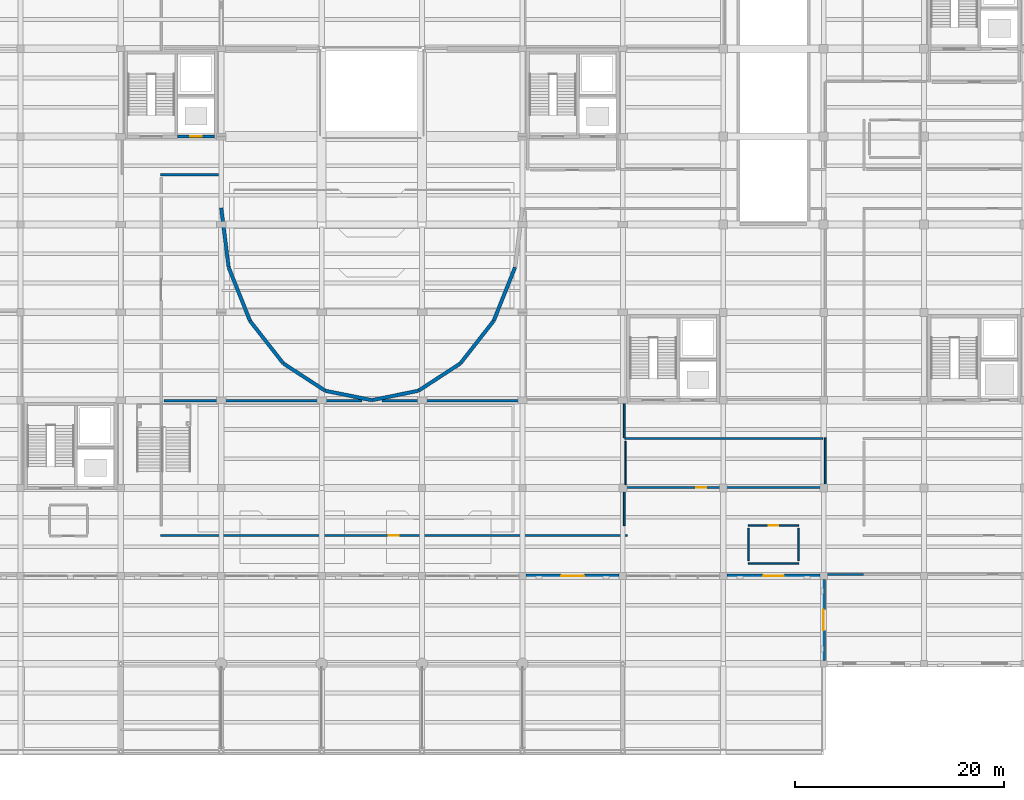
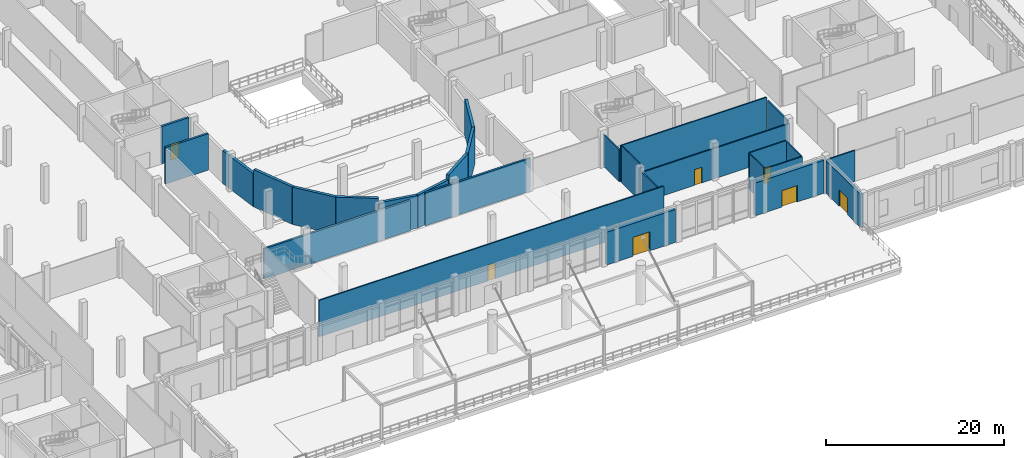
# One storey, part 52 of 71: 28 walls, 7 doors, 7 openings.
"""IFC4 building model written with IfcOpenShell, lengths in metres."""

from ifc_helpers import new_model, si_unit, direction, frame, frame_2d, origin, place, context, subcontext, project, spatial, rectangle, extrude, material, layer, layer_set, type_object, element, fill, save


model = new_model("IFC4")

# Units and contexts
model_context = context("Model", 3, precision=1e-05, world=origin(), true_north=direction((0.0, 1.0)))
body_context = subcontext(model_context, "Body", "Model", "MODEL_VIEW")
ifc_project = project(units=[si_unit("LENGTHUNIT", "METRE"), si_unit("AREAUNIT", "SQUARE_METRE"), si_unit("VOLUMEUNIT", "CUBIC_METRE"), si_unit("PLANEANGLEUNIT", "RADIAN"), si_unit("MASSUNIT", "GRAM", prefix="KILO")], contexts=[model_context])

# Site, building, storey
site_placement = place(None, origin())
site = spatial("IfcSite", under=ifc_project, at=site_placement, CompositionType="ELEMENT")
building_placement = place(site_placement, origin())
building = spatial("IfcBuilding", under=site, at=building_placement, Name="Lornevale Opera House", CompositionType="ELEMENT")
storey_placement = place(building_placement, origin())
storey = spatial("IfcBuildingStorey", under=building, at=storey_placement, Name="L01", CompositionType="ELEMENT", Elevation=0.0)

# Walls
ifc_material_1 = material(Name="Acoustic Mineral-Core Gypsum Partition", Category="gypsum")
ifc_layer_1 = layer(ifc_material_1, 0.25)
ifc_layer_set_1 = layer_set([ifc_layer_1], Name="Acoustic Mineral-Core Gypsum Partition")
wall_type_1 = type_object("IfcWallType", Name="Auditorium Box-in-Box Liner 250", PredefinedType="SOLIDWALL", material=ifc_layer_set_1)
wall_1_placement = place(storey_placement, frame((61.39990234375, 55.139892578125, 0.0), z_axis=(0.0, 0.0, 1.0), x_axis=(1.0, 0.0, 0.0)))
element("IfcWall", 1, at=wall_1_placement, inside=storey, type_object=wall_type_1, Name="L01 Partition WL-INT-0664", PredefinedType="SOLIDWALL", context=body_context, shape_type="SweptSolid", body=[
    extrude(rectangle(XDim=5.550048828125, YDim=0.25, at=frame_2d((2.77490234375, 0.0))), origin(), (0.0, 0.0, 1.0), 4.989990234375),
])
wall_2_placement = place(storey_placement, frame((61.7099609375, 33.5400390625, 0.0), z_axis=(0.0, 0.0, 1.0), x_axis=(1.0, 0.0, 0.0)))
element("IfcWall", 2, at=wall_2_placement, inside=storey, type_object=wall_type_1, Name="L01 Partition WL-INT-0727", PredefinedType="SOLIDWALL", context=body_context, shape_type="SweptSolid", body=[
    extrude(rectangle(XDim=18.927001953125, YDim=0.25, at=frame_2d((9.46337890625, 0.0))), origin(), (0.0, 0.0, 1.0), 4.14990234375),
])
wall_3_placement = place(storey_placement, frame((82.56298828125, 33.5400390625, 0.0), z_axis=(0.0, 0.0, 1.0), x_axis=(1.0, 0.0, 0.0)))
element("IfcWall", 3, at=wall_3_placement, inside=storey, type_object=wall_type_1, Name="L01 Partition WL-INT-0728", PredefinedType="SOLIDWALL", context=body_context, shape_type="SweptSolid", body=[
    extrude(rectangle(XDim=13.636962890625, YDim=0.25, at=frame_2d((6.818359375, 0.0))), origin(), (0.0, 0.0, 1.0), 4.5),
])

# Wall, opening, door
ifc_layer_2 = layer(ifc_material_1, 0.1650390625)
ifc_layer_set_2 = layer_set([ifc_layer_2], Name="Acoustic Mineral-Core Gypsum Partition")
wall_type_2 = type_object("IfcWallType", Name="Corridor Rated Partition 165", PredefinedType="PARTITIONING", material=ifc_layer_set_2)
wall_4_placement = place(storey_placement, frame((61.39990234375, 20.659912109375, 0.0), z_axis=(0.0, 0.0, 1.0), x_axis=(1.0, 0.0, 0.0)))
wall_4 = element("IfcWall", 4, at=wall_4_placement, inside=storey, type_object=wall_type_2, Name="L01 Partition WL-INT-0679", PredefinedType="PARTITIONING", context=body_context, shape_type="SweptSolid", body=[
    extrude(rectangle(XDim=44.60009765625, YDim=0.1650390625, at=frame_2d((22.300048828125, 0.0))), origin(), (0.0, 0.0, 1.0), 4.989990234375),
])
opening_1_placement = place(wall_4_placement, frame((21.824951171875, 0.0, 0.0)))
opening_1 = element("IfcOpeningElement", 5, at=opening_1_placement, cuts=wall_4, Name="Opening DR-T19", PredefinedType="OPENING", context=body_context, shape_type="SweptSolid", body=[
    extrude(rectangle(XDim=0.949951171875, YDim=2.14990234375, at=frame_2d((0.47509765625, 1.074951171875))), frame((0.0, 0.092529296875, 0.0), z_axis=(0.0, -1.0, 0.0), x_axis=(1.0, 0.0, 0.0)), (0.0, 0.0, 1.0), 0.18505859375),
])
ifc_material_2 = material(Name="White Oak Acoustic Panelling", Category="wood")
ifc_layer_3 = layer(ifc_material_2, 2.14990234375)
ifc_layer_set_3 = layer_set([ifc_layer_3], Name="White Oak Acoustic Panelling")
door_type_1 = type_object("IfcDoorType", Name="Soloist Dressing Door L 950x2150", OperationType="NOTDEFINED", PredefinedType="DOOR", material=ifc_layer_set_3)
door_1_placement = place(opening_1_placement, origin())
door_1 = element("IfcDoor", 6, at=door_1_placement, inside=storey, type_object=door_type_1, Name="Winter-Garden Concourse Door", OperationType="SINGLE_SWING_LEFT", OverallHeight=2.14990234375, OverallWidth=0.949951171875, PredefinedType="DOOR", context=body_context, shape_type="SweptSolid", body=[
    extrude(rectangle(XDim=0.949951171875, YDim=2.14990234375, at=frame_2d((0.47509765625, 1.074951171875))), frame((0.0, 0.02490234375, 0.0), z_axis=(0.0, -1.0, 0.0), x_axis=(1.0, 0.0, 0.0)), (0.0, 0.0, 1.0), 0.050048828125),
])
fill(opening_1, door_1)

# Walls
wall_5_placement = place(storey_placement, frame((105.739990234375, 21.60009765625, 0.0), z_axis=(0.0, 0.0, 1.0), x_axis=(0.0, 1.0, 0.0)))
element("IfcWall", 7, at=wall_5_placement, inside=storey, type_object=wall_type_2, Name="L01 Partition WL-INT-0680", PredefinedType="PARTITIONING", context=body_context, shape_type="SweptSolid", body=[
    extrude(rectangle(XDim=3.599853515625, YDim=0.1650390625, at=frame_2d((1.7998046875, 0.0))), origin(), (0.0, 0.0, 1.0), 4.39990234375),
])
wall_6_placement = place(storey_placement, frame((105.739990234375, 30.0, 0.0), z_axis=(0.0, 0.0, 1.0), x_axis=(0.0, 1.0, 0.0)))
element("IfcWall", 8, at=wall_6_placement, inside=storey, type_object=wall_type_2, Name="L01 Partition WL-INT-0681", PredefinedType="PARTITIONING", context=body_context, shape_type="SweptSolid", body=[
    extrude(rectangle(XDim=3.60009765625, YDim=0.1650390625, at=frame_2d((1.800048828125, 0.0))), origin(), (0.0, 0.0, 1.0), 4.39990234375),
])
wall_7_placement = place(storey_placement, frame((125.0, 16.93994140625, 0.0), z_axis=(0.0, 0.0, 1.0), x_axis=(1.0, 0.0, 0.0)))
element("IfcWall", 9, at=wall_7_placement, inside=storey, type_object=wall_type_2, Name="L01 Partition WL-INT-0709", PredefinedType="PARTITIONING", context=body_context, shape_type="SweptSolid", body=[
    extrude(rectangle(XDim=3.60009765625, YDim=0.1650390625, at=frame_2d((1.800048828125, 0.0))), origin(), (0.0, 0.0, 1.0), 4.25),
])

# Wall, opening, door
wall_8_placement = place(storey_placement, frame((105.800048828125, 25.260009765625, 0.0), z_axis=(0.0, 0.0, 1.0), x_axis=(1.0, 0.0, 0.0)))
wall_8 = element("IfcWall", 10, at=wall_8_placement, inside=storey, type_object=wall_type_2, Name="L01 Partition WL-INT-0719", PredefinedType="PARTITIONING", context=body_context, shape_type="SweptSolid", body=[
    extrude(rectangle(XDim=19.199951171875, YDim=0.1650390625, at=frame_2d((9.60009765625, 0.0))), origin(), (0.0, 0.0, 1.0), 4.14990234375),
])
opening_2_placement = place(wall_8_placement, frame((6.821044921875, 0.0, 0.0)))
opening_2 = element("IfcOpeningElement", 11, at=opening_2_placement, cuts=wall_8, Name="Opening DR-T20", PredefinedType="OPENING", context=body_context, shape_type="SweptSolid", body=[
    extrude(rectangle(XDim=0.949951171875, YDim=2.14990234375, at=frame_2d((0.47509765625, 1.074951171875))), frame((0.0, 0.092529296875, 0.0), z_axis=(0.0, -1.0, 0.0), x_axis=(1.0, 0.0, 0.0)), (0.0, 0.0, 1.0), 0.18505859375),
])
ifc_layer_4 = layer(ifc_material_2, 2.14990234375)
ifc_layer_set_4 = layer_set([ifc_layer_4], Name="White Oak Acoustic Panelling")
door_type_2 = type_object("IfcDoorType", Name="Soloist Dressing Door R 950x2150", OperationType="NOTDEFINED", PredefinedType="DOOR", material=ifc_layer_set_4)
door_2_placement = place(opening_2_placement, origin())
door_2 = element("IfcDoor", 12, at=door_2_placement, inside=storey, type_object=door_type_2, Name="Winter-Garden Exhibition Foyer Door", OperationType="SINGLE_SWING_RIGHT", OverallHeight=2.14990234375, OverallWidth=0.949951171875, PredefinedType="DOOR", context=body_context, shape_type="SweptSolid", body=[
    extrude(rectangle(XDim=0.949951171875, YDim=2.14990234375, at=frame_2d((0.47509765625, 1.074951171875))), frame((0.0, 0.02490234375, 0.0), z_axis=(0.0, -1.0, 0.0), x_axis=(1.0, 0.0, 0.0)), (0.0, 0.0, 1.0), 0.050048828125),
])
fill(opening_2, door_2)

# Walls
wall_9_placement = place(storey_placement, frame((124.93994140625, 25.510009765625, 0.0), z_axis=(0.0, 0.0, 1.0), x_axis=(0.0, 1.0, 0.0)))
element("IfcWall", 13, at=wall_9_placement, inside=storey, type_object=wall_type_2, Name="L01 Partition WL-INT-0720", PredefinedType="PARTITIONING", context=body_context, shape_type="SweptSolid", body=[
    extrude(rectangle(XDim=4.489990234375, YDim=0.1650390625, at=frame_2d((2.2451171875, 0.0))), origin(), (0.0, 0.0, 1.0), 4.39990234375),
])
wall_10_placement = place(storey_placement, frame((105.800048828125, 29.93994140625, 0.0), z_axis=(0.0, 0.0, 1.0), x_axis=(1.0, 0.0, 0.0)))
element("IfcWall", 14, at=wall_10_placement, inside=storey, type_object=wall_type_2, Name="L01 Partition WL-INT-0721", PredefinedType="PARTITIONING", context=body_context, shape_type="SweptSolid", body=[
    extrude(rectangle(XDim=18.889892578125, YDim=0.1650390625, at=frame_2d((9.44482421875, 0.0))), origin(), (0.0, 0.0, 1.0), 4.989990234375),
])
ifc_layer_5 = layer(ifc_material_1, 0.125)
ifc_layer_set_5 = layer_set([ifc_layer_5], Name="Acoustic Mineral-Core Gypsum Partition")
wall_type_3 = type_object("IfcWallType", Name="Dressing Suite Partition 125", PredefinedType="PARTITIONING", material=ifc_layer_set_5)
wall_11_placement = place(storey_placement, frame((105.860107421875, 25.510009765625, 0.0), z_axis=(0.0, 0.0, 1.0), x_axis=(0.0, 1.0, 0.0)))
element("IfcWall", 15, at=wall_11_placement, inside=storey, type_object=wall_type_3, Name="L01 Partition WL-INT-0744", PredefinedType="PARTITIONING", context=body_context, shape_type="SweptSolid", body=[
    extrude(rectangle(XDim=4.179931640625, YDim=0.125, at=frame_2d((2.08984375, 0.0))), origin(), (0.0, 0.0, 1.0), 5.070068359375),
])

# Wall, opening, door
ifc_material_3 = material(Name="Concrete 40 MPa (CSA A23.1 C-1)", Category="concrete")
ifc_layer_6 = layer(ifc_material_3, 0.280029296875)
ifc_layer_set_6 = layer_set([ifc_layer_6], Name="Concrete 40 MPa (CSA A23.1 C-1)")
wall_type_4 = type_object("IfcWallType", Name="Elevator Shaft Wall 280", PredefinedType="SHEAR", material=ifc_layer_set_6)
wall_12_placement = place(storey_placement, frame((63.0400390625, 58.800048828125, 0.0), z_axis=(0.0, 0.0, 1.0), x_axis=(1.0, 0.0, 0.0)))
wall_12 = element("IfcWall", 16, at=wall_12_placement, inside=storey, type_object=wall_type_4, Name="Auditorium West Tier Core Elevator Shaft Wall 280 WL-COR-0163", PredefinedType="SHEAR", context=body_context, shape_type="SweptSolid", body=[
    extrude(rectangle(XDim=3.5, YDim=0.280029296875, at=frame_2d((1.75, 0.0))), origin(), (0.0, 0.0, 1.0), 5.10009765625),
])
opening_3_placement = place(wall_12_placement, frame((1.2099609375, 0.0, 0.0)))
opening_3 = element("IfcOpeningElement", 17, at=opening_3_placement, cuts=wall_12, Name="Opening DR-T25", PredefinedType="OPENING", context=body_context, shape_type="SweptSolid", body=[
    extrude(rectangle(XDim=1.10009765625, YDim=2.199951171875, at=frame_2d((0.550048828125, 1.10009765625))), frame((0.0, 0.14990234375, 0.0), z_axis=(0.0, -1.0, 0.0), x_axis=(1.0, 0.0, 0.0)), (0.0, 0.0, 1.0), 0.300048828125),
])
ifc_material_4 = material(Name="Painted Hollow Metal Door Steel", Category="steel")
ifc_layer_7 = layer(ifc_material_4, 2.199951171875)
ifc_layer_set_7 = layer_set([ifc_layer_7], Name="Painted Hollow Metal Door Steel")
door_type_3 = type_object("IfcDoorType", Name="Passenger Lift Landing Door 1100x2200", OperationType="NOTDEFINED", PredefinedType="DOOR", material=ifc_layer_set_7)
door_3_placement = place(opening_3_placement, origin())
door_3 = element("IfcDoor", 18, at=door_3_placement, inside=storey, type_object=door_type_3, Name="L-P4 Landing Door L01", OperationType="SLIDING_TO_LEFT", OverallHeight=2.199951171875, OverallWidth=1.10009765625, PredefinedType="DOOR", context=body_context, shape_type="SweptSolid", body=[
    extrude(rectangle(XDim=1.10009765625, YDim=2.199951171875, at=frame_2d((0.550048828125, 1.10009765625))), frame((0.0, 0.02490234375, 0.0), z_axis=(0.0, -1.0, 0.0), x_axis=(1.0, 0.0, 0.0)), (0.0, 0.0, 1.0), 0.050048828125),
])
fill(opening_3, door_3)

# Walls
ifc_material_5 = material(Name="Credit Valley Sandstone Ashlar Masonry (25 MPa)", Category="masonry")
ifc_layer_8 = layer(ifc_material_5, 0.340087890625)
ifc_layer_set_8 = layer_set([ifc_layer_8], Name="Credit Valley Sandstone Ashlar Masonry (25 MPa)")
wall_type_5 = type_object("IfcWallType", Name="Polychrome Drum Cavity Wall 340", PredefinedType="SOLIDWALL", material=ifc_layer_set_8)
wall_13_placement = place(storey_placement, frame((67.201416015625, 51.988037109375, 0.0), z_axis=(0.0, 0.0, 1.0), x_axis=(0.123065633968, -0.992398533723, 0.0)))
element("IfcWall", 19, at=wall_13_placement, inside=storey, type_object=wall_type_5, Name="Auditorium Horseshoe Drum Wall WL-DRM-0325", PredefinedType="SOLIDWALL", context=body_context, shape_type="SweptSolid", body=[
    extrude(rectangle(XDim=5.70556640625, YDim=0.340087890625, at=frame_2d((2.852783203125, 0.0))), origin(), (0.0, 0.0, 1.0), 4.5),
])
wall_14_placement = place(storey_placement, frame((67.909423828125, 46.302978515625, 0.0), z_axis=(0.0, 0.0, 1.0), x_axis=(0.370349189815, -0.928892608219, 0.0)))
element("IfcWall", 20, at=wall_14_placement, inside=storey, type_object=wall_type_5, Name="Auditorium Horseshoe Drum Wall WL-DRM-0326", PredefinedType="SOLIDWALL", context=body_context, shape_type="SweptSolid", body=[
    extrude(rectangle(XDim=5.497802734375, YDim=0.340087890625, at=frame_2d((2.7490234375, 0.0))), origin(), (0.0, 0.0, 1.0), 5.10009765625),
])
wall_15_placement = place(storey_placement, frame((69.95751953125, 41.175537109375, 0.0), z_axis=(0.0, 0.0, 1.0), x_axis=(0.616309541044, -0.787503999747, 0.0)))
element("IfcWall", 21, at=wall_15_placement, inside=storey, type_object=wall_type_5, Name="Auditorium Horseshoe Drum Wall WL-DRM-0327", PredefinedType="SOLIDWALL", context=body_context, shape_type="SweptSolid", body=[
    extrude(rectangle(XDim=5.145263671875, YDim=0.340087890625, at=frame_2d((2.57275390625, 0.0))), origin(), (0.0, 0.0, 1.0), 5.10009765625),
])
wall_16_placement = place(storey_placement, frame((73.14599609375, 37.107421875, 0.0), z_axis=(0.0, 0.0, 1.0), x_axis=(0.838077071432, -0.545551851194, 0.0)))
element("IfcWall", 22, at=wall_16_placement, inside=storey, type_object=wall_type_5, Name="Auditorium Horseshoe Drum Wall WL-DRM-0328", PredefinedType="SOLIDWALL", context=body_context, shape_type="SweptSolid", body=[
    extrude(rectangle(XDim=4.765625, YDim=0.340087890625, at=frame_2d((2.3828125, 0.0))), origin(), (0.0, 0.0, 1.0), 5.10009765625),
])
for number, where, z_axis, x_axis, name in (
    (23, (77.161865234375, 34.49853515625, 0.0), (0.0, 0.0, 1.0), (0.980110057719, -0.198454717148, 0.0), "Auditorium Horseshoe Drum Wall WL-DRM-0329"),
    (24, (81.61181640625, 33.602294921875, 0.0), (0.0, 0.0, 1.0), (0.980110057719, 0.198454717148, 0.0), "Auditorium Horseshoe Drum Wall WL-DRM-0330"),
):
    element("IfcWall", number, at=place(storey_placement, frame(where, z_axis=z_axis, x_axis=x_axis)), inside=storey, type_object=wall_type_5, Name=name, PredefinedType="SOLIDWALL", context=body_context, shape_type="SweptSolid", body=[
        extrude(rectangle(XDim=4.51611328125, YDim=0.340087890625, at=frame_2d((2.258056640625, 0.0))), origin(), (0.0, 0.0, 1.0), 4.5),
    ])
wall_17_placement = place(storey_placement, frame((86.06005859375, 34.507568359375, 0.0), z_axis=(0.0, 0.0, 1.0), x_axis=(0.838077071432, 0.545551851194, 0.0)))
element("IfcWall", 25, at=wall_17_placement, inside=storey, type_object=wall_type_5, Name="Auditorium Horseshoe Drum Wall WL-DRM-0331", PredefinedType="SOLIDWALL", context=body_context, shape_type="SweptSolid", body=[
    extrude(rectangle(XDim=4.765625, YDim=0.340087890625, at=frame_2d((2.3828125, 0.0))), origin(), (0.0, 0.0, 1.0), 5.10009765625),
])
wall_18_placement = place(storey_placement, frame((90.0712890625, 37.12353515625, 0.0), z_axis=(0.0, 0.0, 1.0), x_axis=(0.616338965583, 0.787480970884, 0.0)))
element("IfcWall", 26, at=wall_18_placement, inside=storey, type_object=wall_type_5, Name="Auditorium Horseshoe Drum Wall WL-DRM-0332", PredefinedType="SOLIDWALL", context=body_context, shape_type="SweptSolid", body=[
    extrude(rectangle(XDim=5.1455078125, YDim=0.340087890625, at=frame_2d((2.57275390625, 0.0))), origin(), (0.0, 0.0, 1.0), 5.10009765625),
])
wall_19_placement = place(storey_placement, frame((93.25439453125, 41.196044921875, 0.0), z_axis=(0.0, 0.0, 1.0), x_axis=(0.370349189815, 0.928892608219, 0.0)))
element("IfcWall", 27, at=wall_19_placement, inside=storey, type_object=wall_type_5, Name="Auditorium Horseshoe Drum Wall WL-DRM-0333", PredefinedType="SOLIDWALL", context=body_context, shape_type="SweptSolid", body=[
    extrude(rectangle(XDim=5.497802734375, YDim=0.340087890625, at=frame_2d((2.7490234375, 0.0))), origin(), (0.0, 0.0, 1.0), 5.10009765625),
])

# Wall, opening, door
ifc_layer_9 = layer(ifc_material_5, 0.3798828125)
ifc_layer_set_9 = layer_set([ifc_layer_9], Name="Credit Valley Sandstone Ashlar Masonry (25 MPa)")
wall_type_6 = type_object("IfcWallType", Name="Sandstone Plinth Bearing Wall 380", PredefinedType="SOLIDWALL", material=ifc_layer_set_9)
wall_20_placement = place(storey_placement, frame((105.25, 16.800048828125, 0.0), z_axis=(0.0, 0.0, 1.0), x_axis=(-1.0, 0.0, 0.0)))
wall_20 = element("IfcWall", 28, at=wall_20_placement, inside=storey, type_object=wall_type_6, Name="Sandstone Plinth Bearing Wall 380 WL-EXT-0168", PredefinedType="SOLIDWALL", context=body_context, shape_type="SweptSolid", body=[
    extrude(rectangle(XDim=8.89990234375, YDim=0.3798828125, at=frame_2d((4.449951171875, 0.0))), origin(), (0.0, 0.0, 1.0), 4.5),
])
opening_4_placement = place(wall_20_placement, frame((3.35009765625, 0.0, 0.0)))
opening_4 = element("IfcOpeningElement", 29, at=opening_4_placement, cuts=wall_20, Name="Opening DR-T01", PredefinedType="OPENING", context=body_context, shape_type="SweptSolid", body=[
    extrude(rectangle(XDim=2.199951171875, YDim=2.60009765625, at=frame_2d((1.10009765625, 1.300048828125))), frame((0.0, 0.199951171875, 0.0), z_axis=(0.0, -1.0, 0.0), x_axis=(1.0, 0.0, 0.0)), (0.0, 0.0, 1.0), 0.39990234375),
])
ifc_material_6 = material(Name="Architectural Bronze Solar Louvre Alloy", Category="metal")
ifc_layer_10 = layer(ifc_material_6, 0.050048828125)
ifc_layer_set_10 = layer_set([ifc_layer_10], Name="Architectural Bronze Solar Louvre Alloy")
door_type_4 = type_object("IfcDoorType", Name="Civic Main Entrance Double Door 2200x2600", OperationType="NOTDEFINED", PredefinedType="DOOR", material=ifc_layer_set_10)
door_4_placement = place(opening_4_placement, origin())
door_4 = element("IfcDoor", 30, at=door_4_placement, inside=storey, type_object=door_type_4, Name="Civic Main Entrance Double Door 2200x2600 DR-EXT-023", OperationType="DOUBLE_DOOR_SINGLE_SWING", OverallHeight=2.60009765625, OverallWidth=2.199951171875, PredefinedType="DOOR", context=body_context, shape_type="SweptSolid", body=[
    extrude(rectangle(XDim=2.199951171875, YDim=2.60009765625, at=frame_2d((1.10009765625, 1.300048828125))), frame((0.0, 0.02490234375, 0.0), z_axis=(0.0, -1.0, 0.0), x_axis=(1.0, 0.0, 0.0)), (0.0, 0.0, 1.0), 0.050048828125),
])
fill(opening_4, door_4)

wall_21_placement = place(storey_placement, frame((124.449951171875, 16.800048828125, 0.0), z_axis=(0.0, 0.0, 1.0), x_axis=(-1.0, 0.0, 0.0)))
wall_21 = element("IfcWall", 31, at=wall_21_placement, inside=storey, type_object=wall_type_6, Name="Sandstone Plinth Bearing Wall 380 WL-EXT-0171", PredefinedType="SOLIDWALL", context=body_context, shape_type="SweptSolid", body=[
    extrude(rectangle(XDim=8.89990234375, YDim=0.3798828125, at=frame_2d((4.449951171875, 0.0))), origin(), (0.0, 0.0, 1.0), 4.5),
])
opening_5_placement = place(wall_21_placement, frame((3.449951171875, 0.0, 0.0)))
opening_5 = element("IfcOpeningElement", 32, at=opening_5_placement, cuts=wall_21, Name="Opening DR-T06", PredefinedType="OPENING", context=body_context, shape_type="SweptSolid", body=[
    extrude(rectangle(XDim=2.0, YDim=2.25, at=frame_2d((1.0, 1.125))), frame((0.0, 0.199951171875, 0.0), z_axis=(0.0, -1.0, 0.0), x_axis=(1.0, 0.0, 0.0)), (0.0, 0.0, 1.0), 0.39990234375),
])
ifc_layer_11 = layer(ifc_material_4, 0.050048828125)
ifc_layer_set_11 = layer_set([ifc_layer_11], Name="Painted Hollow Metal Door Steel")
door_type_5 = type_object("IfcDoorType", Name="Exterior Paired Exit Door 2000x2250", OperationType="NOTDEFINED", PredefinedType="DOOR", material=ifc_layer_set_11)
door_5_placement = place(opening_5_placement, origin())
door_5 = element("IfcDoor", 33, at=door_5_placement, inside=storey, type_object=door_type_5, Name="Exterior Paired Exit Door 2000x2250 DR-EXT-026", OperationType="DOUBLE_DOOR_SINGLE_SWING", OverallHeight=2.25, OverallWidth=2.0, PredefinedType="DOOR", context=body_context, shape_type="SweptSolid", body=[
    extrude(rectangle(XDim=2.0, YDim=2.25, at=frame_2d((1.0, 1.125))), frame((0.0, 0.02490234375, 0.0), z_axis=(0.0, -1.0, 0.0), x_axis=(1.0, 0.0, 0.0)), (0.0, 0.0, 1.0), 0.050048828125),
])
fill(opening_5, door_5)

wall_22_placement = place(storey_placement, frame((124.800048828125, 8.72509765625, 0.0), z_axis=(0.0, 0.0, 1.0), x_axis=(0.0, 1.0, 0.0)))
wall_22 = element("IfcWall", 34, at=wall_22_placement, inside=storey, type_object=wall_type_6, Name="Sandstone Plinth Bearing Wall 380 WL-EXT-0177", PredefinedType="SOLIDWALL", context=body_context, shape_type="SweptSolid", body=[
    extrude(rectangle(XDim=7.724853515625, YDim=0.3798828125, at=frame_2d((3.8623046875, 0.0))), origin(), (0.0, 0.0, 1.0), 4.5),
])
opening_6_placement = place(wall_22_placement, frame((2.862060546875, 0.0, 0.0)))
opening_6 = element("IfcOpeningElement", 35, at=opening_6_placement, cuts=wall_22, Name="Opening DR-T06", PredefinedType="OPENING", context=body_context, shape_type="SweptSolid", body=[
    extrude(rectangle(XDim=2.0, YDim=2.25, at=frame_2d((1.0, 1.125))), frame((0.0, 0.199951171875, 0.0), z_axis=(0.0, -1.0, 0.0), x_axis=(1.0, 0.0, 0.0)), (0.0, 0.0, 1.0), 0.39990234375),
])
door_6_placement = place(opening_6_placement, origin())
door_6 = element("IfcDoor", 36, at=door_6_placement, inside=storey, type_object=door_type_5, Name="Exterior Paired Exit Door 2000x2250 DR-EXT-028", OperationType="DOUBLE_DOOR_SINGLE_SWING", OverallHeight=2.25, OverallWidth=2.0, PredefinedType="DOOR", context=body_context, shape_type="SweptSolid", body=[
    extrude(rectangle(XDim=2.0, YDim=2.25, at=frame_2d((1.0, 1.125))), frame((0.0, 0.02490234375, 0.0), z_axis=(0.0, -1.0, 0.0), x_axis=(1.0, 0.0, 0.0)), (0.0, 0.0, 1.0), 0.050048828125),
])
fill(opening_6, door_6)

# Wall
ifc_material_7 = material(Name="Moisture-Resistant Ceramic & Gypsum Partition", Category="gypsum")
ifc_layer_12 = layer(ifc_material_7, 0.139892578125)
ifc_layer_set_12 = layer_set([ifc_layer_12], Name="Moisture-Resistant Ceramic & Gypsum Partition")
wall_type_7 = type_object("IfcWallType", Name="Washroom Moisture Partition 140", PredefinedType="PARTITIONING", material=ifc_layer_set_12)
wall_23_placement = place(storey_placement, frame((117.60009765625, 18.0, 0.0), z_axis=(0.0, 0.0, 1.0), x_axis=(1.0, 0.0, 0.0)))
element("IfcWall", 37, at=wall_23_placement, inside=storey, type_object=wall_type_7, Name="Grand Foyer Public Washroom East S Wall WL-INT-0452", PredefinedType="PARTITIONING", context=body_context, shape_type="SweptSolid", body=[
    extrude(rectangle(XDim=4.7998046875, YDim=0.139892578125, at=frame_2d((2.39990234375, 0.0))), origin(), (0.0, 0.0, 1.0), 4.919921875),
])

# Wall, opening, door
wall_24_placement = place(storey_placement, frame((117.60009765625, 21.60009765625, 0.0), z_axis=(0.0, 0.0, 1.0), x_axis=(1.0, 0.0, 0.0)))
wall_24 = element("IfcWall", 38, at=wall_24_placement, inside=storey, type_object=wall_type_7, Name="Grand Foyer Public Washroom East N Wall WL-INT-0453", PredefinedType="PARTITIONING", context=body_context, shape_type="SweptSolid", body=[
    extrude(rectangle(XDim=4.7998046875, YDim=0.139892578125, at=frame_2d((2.39990234375, 0.0))), origin(), (0.0, 0.0, 1.0), 4.919921875),
])
opening_7_placement = place(wall_24_placement, frame((1.925048828125, 0.0, 0.0)))
opening_7 = element("IfcOpeningElement", 39, at=opening_7_placement, cuts=wall_24, Name="Opening DR-T22", PredefinedType="OPENING", context=body_context, shape_type="SweptSolid", body=[
    extrude(rectangle(XDim=0.949951171875, YDim=2.14990234375, at=frame_2d((0.47509765625, 1.074951171875))), frame((0.0, 0.079833984375, 0.0), z_axis=(0.0, -1.0, 0.0), x_axis=(1.0, 0.0, 0.0)), (0.0, 0.0, 1.0), 0.159912109375),
])
ifc_layer_13 = layer(ifc_material_2, 2.14990234375)
ifc_layer_set_13 = layer_set([ifc_layer_13], Name="White Oak Acoustic Panelling")
door_type_6 = type_object("IfcDoorType", Name="Washroom Door R 950x2150", OperationType="NOTDEFINED", PredefinedType="DOOR", material=ifc_layer_set_13)
door_7_placement = place(opening_7_placement, origin())
door_7 = element("IfcDoor", 40, at=door_7_placement, inside=storey, type_object=door_type_6, Name="Grand Foyer Public Washroom East Door", OperationType="SINGLE_SWING_RIGHT", OverallHeight=2.14990234375, OverallWidth=0.949951171875, PredefinedType="DOOR", context=body_context, shape_type="SweptSolid", body=[
    extrude(rectangle(XDim=0.949951171875, YDim=2.14990234375, at=frame_2d((0.47509765625, 1.074951171875))), frame((0.0, 0.02490234375, 0.0), z_axis=(0.0, -1.0, 0.0), x_axis=(1.0, 0.0, 0.0)), (0.0, 0.0, 1.0), 0.050048828125),
])
fill(opening_7, door_7)

# Walls
for number, where, z_axis, x_axis, name in (
    (41, (117.60009765625, 18.25, 0.0), (0.0, 0.0, 1.0), (0.0, 1.0, 0.0), "Grand Foyer Public Washroom East W Wall WL-INT-0454"),
    (42, (122.39990234375, 18.25, 0.0), (0.0, 0.0, 1.0), (0.0, 1.0, 0.0), "Grand Foyer Public Washroom East E Wall WL-INT-0455"),
):
    element("IfcWall", number, at=place(storey_placement, frame(where, z_axis=z_axis, x_axis=x_axis)), inside=storey, type_object=wall_type_7, Name=name, PredefinedType="PARTITIONING", context=body_context, shape_type="SweptSolid", body=[
        extrude(rectangle(XDim=3.10009765625, YDim=0.139892578125, at=frame_2d((1.550048828125, 0.0))), origin(), (0.0, 0.0, 1.0), 4.919921875),
    ])

save(model, "model.ifc")
